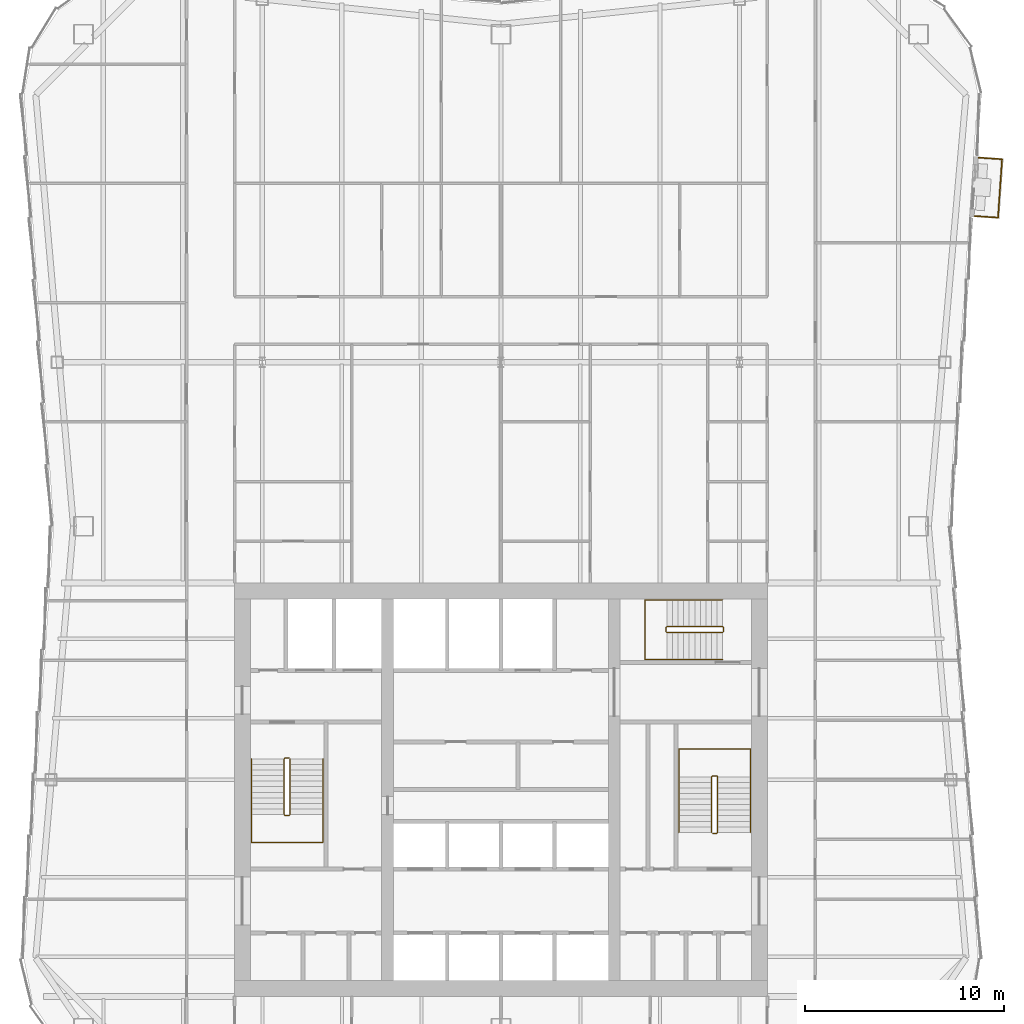
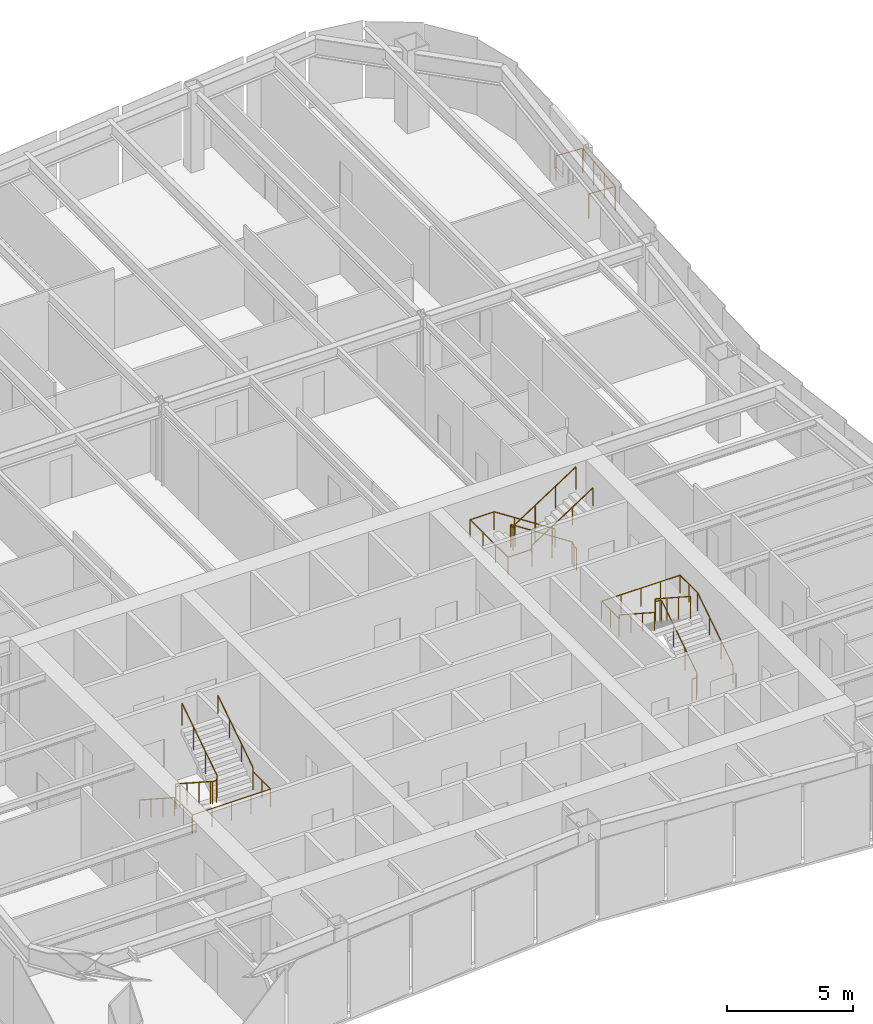
# One storey, part 11 of 12: 7 railings.
"""IFC4 building model written with IfcOpenShell, lengths in metres."""

from ifc_helpers import new_model, si_unit, direction, frame, origin, origin_2d, place, context, subcontext, project, spatial, circle, extrude, material, type_object, element, save


model = new_model("IFC4")

# Units and contexts
model_context = context("Model", 3, precision=1e-05, world=origin(), true_north=direction((0.0, 1.0)))
body_context = subcontext(model_context, "Body", "Model", "MODEL_VIEW")
ifc_project = project(units=[si_unit("LENGTHUNIT", "METRE"), si_unit("AREAUNIT", "SQUARE_METRE"), si_unit("VOLUMEUNIT", "CUBIC_METRE"), si_unit("PLANEANGLEUNIT", "RADIAN"), si_unit("MASSUNIT", "GRAM", prefix="KILO")], contexts=[model_context])

# Site, building, storey
site_placement = place(None, origin())
site = spatial("IfcSite", under=ifc_project, at=site_placement, CompositionType="ELEMENT")
building_placement = place(site_placement, origin())
building = spatial("IfcBuilding", under=site, at=building_placement, Name="Verdant Reach Tower", CompositionType="ELEMENT")
storey_placement = place(building_placement, frame((0.0, 0.0, 266.0)))
storey = spatial("IfcBuildingStorey", under=building, at=storey_placement, Name="L61", CompositionType="ELEMENT", Elevation=266.0)

# Railings
ifc_material_1 = material(Name="Stainless steel", Category="steel")
railing_type_1 = type_object("IfcRailingType", Name="CO-GUARD", PredefinedType="GUARDRAIL", material=ifc_material_1)
railing_1_placement = place(storey_placement, frame((-10.64990234375, 29.60009765625, 0.0)))
element("IfcRailing", 1, at=railing_1_placement, inside=storey, type_object=railing_type_1, Name="L61 ST-1 stair guard 1", PredefinedType="GUARDRAIL", context=body_context, shape_type="SweptSolid", body=[
    extrude(circle(Radius=0.02392578125, at=origin_2d()), frame((0.0, 0.0, 1.076171875), z_axis=(-1.0, 0.0, 0.0), x_axis=(0.0, -1.0, 0.0)), (0.0, 0.0, 1.0), 0.2001953125),
    extrude(circle(Radius=0.02392578125, at=origin_2d()), frame((-0.2001953125, 0.0, 1.076171875), z_axis=(-0.25526617399, -0.256517478764, 0.932222056972), x_axis=(0.708833529934, -0.705375805398, 0.0)), (0.0, 0.0, 1.0), 0.195068359375),
    extrude(circle(Radius=0.02392578125, at=origin_2d()), frame((-0.25, -0.050048828125, 1.2578125), z_axis=(0.0, -0.838705829183, 0.544584733623), x_axis=(1.0, 0.0, 0.0)), (0.0, 0.0, 1.0), 3.338623046875),
    extrude(circle(Radius=0.02392578125, at=origin_2d()), frame((-0.25, -2.85009765625, 3.076171875), z_axis=(0.705375805398, -0.708833529934, 0.0), x_axis=(0.708833529934, 0.705375805398, 0.0)), (0.0, 0.0, 1.0), 0.070556640625),
    extrude(circle(Radius=0.02392578125, at=origin_2d()), frame((-0.2001953125, -2.900146484375, 3.076171875), z_axis=(1.0, 0.0, 0.0), x_axis=(0.0, 1.0, 0.0)), (0.0, 0.0, 1.0), 0.2001953125),
    extrude(circle(Radius=0.02392578125, at=origin_2d()), frame((0.0, -2.900146484375, 3.076171875), z_axis=(0.25526617399, 0.256517478764, 0.932222056972), x_axis=(-0.708833529934, 0.705375805398, 0.0)), (0.0, 0.0, 1.0), 0.195068359375),
    extrude(circle(Radius=0.02392578125, at=origin_2d()), frame((0.0498046875, -2.85009765625, 3.2578125), z_axis=(0.0, 0.838705829183, 0.544584733623), x_axis=(-1.0, 0.0, 0.0)), (0.0, 0.0, 1.0), 3.338623046875),
    extrude(circle(Radius=0.02099609375, at=origin_2d()), origin(), (0.0, 0.0, 1.0), 1.052001953125),
    extrude(circle(Radius=0.02099609375, at=origin_2d()), frame((-0.2001953125, 0.0, 0.0)), (0.0, 0.0, 1.0), 1.052001953125),
    extrude(circle(Radius=0.02099609375, at=origin_2d()), frame((-0.25, -0.050048828125, 0.181884765625)), (0.0, 0.0, 1.0), 1.052001953125),
    extrude(circle(Radius=0.02099609375, at=origin_2d()), frame((-0.25, -0.9833984375, 0.787841796875)), (0.0, 0.0, 1.0), 1.052001953125),
    extrude(circle(Radius=0.02099609375, at=origin_2d()), frame((-0.25, -1.916748046875, 1.39404296875)), (0.0, 0.0, 1.0), 1.052001953125),
    extrude(circle(Radius=0.02099609375, at=origin_2d()), frame((-0.25, -2.85009765625, 2.0)), (0.0, 0.0, 1.0), 1.052001953125),
    extrude(circle(Radius=0.02099609375, at=origin_2d()), frame((-0.2001953125, -2.900146484375, 2.0)), (0.0, 0.0, 1.0), 1.052001953125),
    extrude(circle(Radius=0.02099609375, at=origin_2d()), frame((0.0, -2.900146484375, 2.0)), (0.0, 0.0, 1.0), 1.052001953125),
    extrude(circle(Radius=0.02099609375, at=origin_2d()), frame((0.0498046875, -2.85009765625, 2.181884765625)), (0.0, 0.0, 1.0), 1.052001953125),
    extrude(circle(Radius=0.02099609375, at=origin_2d()), frame((0.0498046875, -1.916748046875, 2.787841796875)), (0.0, 0.0, 1.0), 1.052001953125),
    extrude(circle(Radius=0.02099609375, at=origin_2d()), frame((0.0498046875, -0.9833984375, 3.39404296875)), (0.0, 0.0, 1.0), 1.052001953125),
    extrude(circle(Radius=0.02099609375, at=origin_2d()), frame((0.0498046875, -0.050048828125, 4.0)), (0.0, 0.0, 1.0), 1.052001953125),
])
railing_2_placement = place(storey_placement, frame((10.64990234375, 25.800048828125, 0.0)))
element("IfcRailing", 2, at=railing_2_placement, inside=storey, type_object=railing_type_1, Name="L61 ST-2 stair guard 1", PredefinedType="GUARDRAIL", context=body_context, shape_type="SweptSolid", body=[
    extrude(circle(Radius=0.02392578125, at=origin_2d()), frame((0.0, 0.0, 1.076171875), z_axis=(1.0, 0.0, 0.0), x_axis=(0.0, 1.0, 0.0)), (0.0, 0.0, 1.0), 0.2001953125),
    extrude(circle(Radius=0.02392578125, at=origin_2d()), frame((0.2001953125, 0.0, 1.076171875), z_axis=(0.25526617399, 0.256517478764, 0.932222056972), x_axis=(-0.708833529934, 0.705375805398, 0.0)), (0.0, 0.0, 1.0), 0.195068359375),
    extrude(circle(Radius=0.02392578125, at=origin_2d()), frame((0.25, 0.050048828125, 1.2578125), z_axis=(0.0, 0.83868413941, 0.544618136222), x_axis=(-1.0, 0.0, 0.0)), (0.0, 0.0, 1.0), 3.33837890625),
    extrude(circle(Radius=0.02392578125, at=origin_2d()), frame((0.25, 2.849853515625, 3.076171875), z_axis=(-0.705375805398, 0.708833529934, 0.0), x_axis=(-0.708833529934, -0.705375805398, 0.0)), (0.0, 0.0, 1.0), 0.070556640625),
    extrude(circle(Radius=0.02392578125, at=origin_2d()), frame((0.2001953125, 2.89990234375, 3.076171875), z_axis=(-1.0, 0.0, 0.0), x_axis=(0.0, -1.0, 0.0)), (0.0, 0.0, 1.0), 0.2001953125),
    extrude(circle(Radius=0.02392578125, at=origin_2d()), frame((0.0, 2.89990234375, 3.076171875), z_axis=(-0.25526617399, -0.256517478764, 0.932222056972), x_axis=(0.708833529934, -0.705375805398, 0.0)), (0.0, 0.0, 1.0), 0.195068359375),
    extrude(circle(Radius=0.02392578125, at=origin_2d()), frame((-0.0498046875, 2.849853515625, 3.2578125), z_axis=(0.0, -0.83868413941, 0.544618136222), x_axis=(1.0, 0.0, 0.0)), (0.0, 0.0, 1.0), 3.33837890625),
    extrude(circle(Radius=0.02099609375, at=origin_2d()), origin(), (0.0, 0.0, 1.0), 1.052001953125),
    extrude(circle(Radius=0.02099609375, at=origin_2d()), frame((0.2001953125, 0.0, 0.0)), (0.0, 0.0, 1.0), 1.052001953125),
    extrude(circle(Radius=0.02099609375, at=origin_2d()), frame((0.25, 0.050048828125, 0.181884765625)), (0.0, 0.0, 1.0), 1.052001953125),
    extrude(circle(Radius=0.02099609375, at=origin_2d()), frame((0.25, 0.9833984375, 0.787841796875)), (0.0, 0.0, 1.0), 1.052001953125),
    extrude(circle(Radius=0.02099609375, at=origin_2d()), frame((0.25, 1.91650390625, 1.39404296875)), (0.0, 0.0, 1.0), 1.052001953125),
    extrude(circle(Radius=0.02099609375, at=origin_2d()), frame((0.25, 2.849853515625, 2.0)), (0.0, 0.0, 1.0), 1.052001953125),
    extrude(circle(Radius=0.02099609375, at=origin_2d()), frame((0.2001953125, 2.89990234375, 2.0)), (0.0, 0.0, 1.0), 1.052001953125),
    extrude(circle(Radius=0.02099609375, at=origin_2d()), frame((0.0, 2.89990234375, 2.0)), (0.0, 0.0, 1.0), 1.052001953125),
    extrude(circle(Radius=0.02099609375, at=origin_2d()), frame((-0.0498046875, 2.849853515625, 2.181884765625)), (0.0, 0.0, 1.0), 1.052001953125),
    extrude(circle(Radius=0.02099609375, at=origin_2d()), frame((-0.0498046875, 1.91650390625, 2.787841796875)), (0.0, 0.0, 1.0), 1.052001953125),
    extrude(circle(Radius=0.02099609375, at=origin_2d()), frame((-0.0498046875, 0.9833984375, 3.39404296875)), (0.0, 0.0, 1.0), 1.052001953125),
    extrude(circle(Radius=0.02099609375, at=origin_2d()), frame((-0.0498046875, 0.050048828125, 4.0)), (0.0, 0.0, 1.0), 1.052001953125),
])
railing_3_placement = place(storey_placement, frame((11.199951171875, 35.949951171875, 0.0)))
element("IfcRailing", 3, at=railing_3_placement, inside=storey, type_object=railing_type_1, Name="L61 ST-3 stair guard 1", PredefinedType="GUARDRAIL", context=body_context, shape_type="SweptSolid", body=[
    extrude(circle(Radius=0.02392578125, at=origin_2d()), frame((0.0, 0.0, 1.076171875), z_axis=(0.0, 1.0, 0.0), x_axis=(-1.0, 0.0, 0.0)), (0.0, 0.0, 1.0), 0.199951171875),
    extrude(circle(Radius=0.02392578125, at=origin_2d()), frame((0.0, 0.199951171875, 1.076171875), z_axis=(-0.256435381639, 0.256435381639, 0.931923704005), x_axis=(-0.707106781187, -0.707106781187, 0.0)), (0.0, 0.0, 1.0), 0.195068359375),
    extrude(circle(Radius=0.02392578125, at=origin_2d()), frame((-0.050048828125, 0.25, 1.2578125), z_axis=(-0.83868413941, 0.0, 0.544618136222), x_axis=(0.0, -1.0, 0.0)), (0.0, 0.0, 1.0), 3.33837890625),
    extrude(circle(Radius=0.02392578125, at=origin_2d()), frame((-2.849853515625, 0.25, 3.076171875), z_axis=(-0.707106781187, -0.707106781187, 0.0), x_axis=(0.707106781187, -0.707106781187, 0.0)), (0.0, 0.0, 1.0), 0.07080078125),
    extrude(circle(Radius=0.02392578125, at=origin_2d()), frame((-2.89990234375, 0.199951171875, 3.076171875), z_axis=(0.0, -1.0, 0.0), x_axis=(1.0, 0.0, 0.0)), (0.0, 0.0, 1.0), 0.199951171875),
    extrude(circle(Radius=0.02392578125, at=origin_2d()), frame((-2.89990234375, 0.0, 3.076171875), z_axis=(0.256435381639, -0.256435381639, 0.931923704005), x_axis=(0.707106781187, 0.707106781187, 0.0)), (0.0, 0.0, 1.0), 0.195068359375),
    extrude(circle(Radius=0.02392578125, at=origin_2d()), frame((-2.849853515625, -0.050048828125, 3.2578125), z_axis=(0.83868413941, 0.0, 0.544618136222), x_axis=(0.0, 1.0, 0.0)), (0.0, 0.0, 1.0), 3.33837890625),
    extrude(circle(Radius=0.02099609375, at=origin_2d()), origin(), (0.0, 0.0, 1.0), 1.052001953125),
    extrude(circle(Radius=0.02099609375, at=origin_2d()), frame((0.0, 0.199951171875, 0.0)), (0.0, 0.0, 1.0), 1.052001953125),
    extrude(circle(Radius=0.02099609375, at=origin_2d()), frame((-0.050048828125, 0.25, 0.181884765625)), (0.0, 0.0, 1.0), 1.052001953125),
    extrude(circle(Radius=0.02099609375, at=origin_2d()), frame((-0.9833984375, 0.25, 0.787841796875)), (0.0, 0.0, 1.0), 1.052001953125),
    extrude(circle(Radius=0.02099609375, at=origin_2d()), frame((-1.91650390625, 0.25, 1.39404296875)), (0.0, 0.0, 1.0), 1.052001953125),
    extrude(circle(Radius=0.02099609375, at=origin_2d()), frame((-2.849853515625, 0.25, 2.0)), (0.0, 0.0, 1.0), 1.052001953125),
    extrude(circle(Radius=0.02099609375, at=origin_2d()), frame((-2.89990234375, 0.199951171875, 2.0)), (0.0, 0.0, 1.0), 1.052001953125),
    extrude(circle(Radius=0.02099609375, at=origin_2d()), frame((-2.89990234375, 0.0, 2.0)), (0.0, 0.0, 1.0), 1.052001953125),
    extrude(circle(Radius=0.02099609375, at=origin_2d()), frame((-2.849853515625, -0.050048828125, 2.181884765625)), (0.0, 0.0, 1.0), 1.052001953125),
    extrude(circle(Radius=0.02099609375, at=origin_2d()), frame((-1.91650390625, -0.050048828125, 2.787841796875)), (0.0, 0.0, 1.0), 1.052001953125),
    extrude(circle(Radius=0.02099609375, at=origin_2d()), frame((-0.9833984375, -0.050048828125, 3.39404296875)), (0.0, 0.0, 1.0), 1.052001953125),
    extrude(circle(Radius=0.02099609375, at=origin_2d()), frame((-0.050048828125, -0.050048828125, 4.0)), (0.0, 0.0, 1.0), 1.052001953125),
])
railing_type_2 = type_object("IfcRailingType", Name="CO-HANDRAIL", PredefinedType="HANDRAIL", material=ifc_material_1)
railing_4_placement = place(storey_placement, frame((-12.550048828125, 29.550048828125, 0.181884765625)))
element("IfcRailing", 4, at=railing_4_placement, inside=storey, type_object=railing_type_2, Name="L61 ST-1 stair handrail 1", PredefinedType="HANDRAIL", context=body_context, shape_type="SweptSolid", body=[
    extrude(circle(Radius=0.02392578125, at=origin_2d()), frame((0.0, 0.0, 0.8759765625), z_axis=(0.0, -0.838705829183, 0.544584733623), x_axis=(1.0, 0.0, 0.0)), (0.0, 0.0, 1.0), 3.338623046875),
    extrude(circle(Radius=0.02392578125, at=origin_2d()), frame((0.0, -2.800048828125, 2.69384765625), z_axis=(0.0, -1.0, 0.0), x_axis=(1.0, 0.0, 0.0)), (0.0, 0.0, 1.0), 1.39990234375),
    extrude(circle(Radius=0.02392578125, at=origin_2d()), frame((0.0, -4.199951171875, 2.69384765625), z_axis=(1.0, 0.0, 0.0), x_axis=(0.0, 1.0, 0.0)), (0.0, 0.0, 1.0), 3.60009765625),
    extrude(circle(Radius=0.02392578125, at=origin_2d()), frame((3.60009765625, -4.199951171875, 2.69384765625), z_axis=(0.0, 1.0, 0.0), x_axis=(-1.0, 0.0, 0.0)), (0.0, 0.0, 1.0), 1.39990234375),
    extrude(circle(Radius=0.02392578125, at=origin_2d()), frame((3.60009765625, -2.800048828125, 2.69384765625), z_axis=(0.0, 0.0, 1.0), x_axis=(1.0, 0.0, 0.0)), (0.0, 0.0, 1.0), 0.181884765625),
    extrude(circle(Radius=0.02392578125, at=origin_2d()), frame((3.60009765625, -2.800048828125, 2.8759765625), z_axis=(0.0, 0.838705829183, 0.544584733623), x_axis=(-1.0, 0.0, 0.0)), (0.0, 0.0, 1.0), 3.338623046875),
    extrude(circle(Radius=0.02099609375, at=origin_2d()), origin(), (0.0, 0.0, 1.0), 0.851806640625),
    extrude(circle(Radius=0.02099609375, at=origin_2d()), frame((0.0, -0.933349609375, 0.60595703125)), (0.0, 0.0, 1.0), 0.851806640625),
    extrude(circle(Radius=0.02099609375, at=origin_2d()), frame((0.0, -1.86669921875, 1.212158203125)), (0.0, 0.0, 1.0), 0.851806640625),
    extrude(circle(Radius=0.02099609375, at=origin_2d()), frame((0.0, -2.800048828125, 1.818115234375)), (0.0, 0.0, 1.0), 0.851806640625),
    extrude(circle(Radius=0.02099609375, at=origin_2d()), frame((0.0, -3.5, 1.818115234375)), (0.0, 0.0, 1.0), 0.851806640625),
    extrude(circle(Radius=0.02099609375, at=origin_2d()), frame((0.0, -4.199951171875, 1.818115234375)), (0.0, 0.0, 1.0), 0.851806640625),
    extrude(circle(Radius=0.02099609375, at=origin_2d()), frame((0.89990234375, -4.199951171875, 1.818115234375)), (0.0, 0.0, 1.0), 0.851806640625),
    extrude(circle(Radius=0.02099609375, at=origin_2d()), frame((1.800048828125, -4.199951171875, 1.818115234375)), (0.0, 0.0, 1.0), 0.851806640625),
    extrude(circle(Radius=0.02099609375, at=origin_2d()), frame((2.7001953125, -4.199951171875, 1.818115234375)), (0.0, 0.0, 1.0), 0.851806640625),
    extrude(circle(Radius=0.02099609375, at=origin_2d()), frame((3.60009765625, -4.199951171875, 1.818115234375)), (0.0, 0.0, 1.0), 0.851806640625),
    extrude(circle(Radius=0.02099609375, at=origin_2d()), frame((3.60009765625, -3.5, 1.818115234375)), (0.0, 0.0, 1.0), 0.851806640625),
    extrude(circle(Radius=0.02099609375, at=origin_2d()), frame((3.60009765625, -2.800048828125, 1.818115234375)), (0.0, 0.0, 1.0), 0.851806640625),
    extrude(circle(Radius=0.02099609375, at=origin_2d()), frame((3.60009765625, -2.800048828125, 2.0)), (0.0, 0.0, 1.0), 0.851806640625),
    extrude(circle(Radius=0.02099609375, at=origin_2d()), frame((3.60009765625, -1.86669921875, 2.60595703125)), (0.0, 0.0, 1.0), 0.851806640625),
    extrude(circle(Radius=0.02099609375, at=origin_2d()), frame((3.60009765625, -0.933349609375, 3.212158203125)), (0.0, 0.0, 1.0), 0.851806640625),
    extrude(circle(Radius=0.02099609375, at=origin_2d()), frame((3.60009765625, 0.0, 3.818115234375)), (0.0, 0.0, 1.0), 0.851806640625),
])
railing_5_placement = place(storey_placement, frame((12.550048828125, 25.85009765625, 0.181884765625)))
element("IfcRailing", 5, at=railing_5_placement, inside=storey, type_object=railing_type_2, Name="L61 ST-2 stair handrail 1", PredefinedType="HANDRAIL", context=body_context, shape_type="SweptSolid", body=[
    extrude(circle(Radius=0.02392578125, at=origin_2d()), frame((0.0, 0.0, 0.8759765625), z_axis=(0.0, 0.83868413941, 0.544618136222), x_axis=(-1.0, 0.0, 0.0)), (0.0, 0.0, 1.0), 3.33837890625),
    extrude(circle(Radius=0.02392578125, at=origin_2d()), frame((0.0, 2.7998046875, 2.69384765625), z_axis=(0.0, 1.0, 0.0), x_axis=(-1.0, 0.0, 0.0)), (0.0, 0.0, 1.0), 1.400146484375),
    extrude(circle(Radius=0.02392578125, at=origin_2d()), frame((0.0, 4.199951171875, 2.69384765625), z_axis=(-1.0, 0.0, 0.0), x_axis=(0.0, -1.0, 0.0)), (0.0, 0.0, 1.0), 3.60009765625),
    extrude(circle(Radius=0.02392578125, at=origin_2d()), frame((-3.60009765625, 4.199951171875, 2.69384765625), z_axis=(0.0, -1.0, 0.0), x_axis=(1.0, 0.0, 0.0)), (0.0, 0.0, 1.0), 1.400146484375),
    extrude(circle(Radius=0.02392578125, at=origin_2d()), frame((-3.60009765625, 2.7998046875, 2.69384765625), z_axis=(0.0, 0.0, 1.0), x_axis=(1.0, 0.0, 0.0)), (0.0, 0.0, 1.0), 0.181884765625),
    extrude(circle(Radius=0.02392578125, at=origin_2d()), frame((-3.60009765625, 2.7998046875, 2.8759765625), z_axis=(0.0, -0.83868413941, 0.544618136222), x_axis=(1.0, 0.0, 0.0)), (0.0, 0.0, 1.0), 3.33837890625),
    extrude(circle(Radius=0.02099609375, at=origin_2d()), origin(), (0.0, 0.0, 1.0), 0.851806640625),
    extrude(circle(Radius=0.02099609375, at=origin_2d()), frame((0.0, 0.933349609375, 0.60595703125)), (0.0, 0.0, 1.0), 0.851806640625),
    extrude(circle(Radius=0.02099609375, at=origin_2d()), frame((0.0, 1.866455078125, 1.212158203125)), (0.0, 0.0, 1.0), 0.851806640625),
    extrude(circle(Radius=0.02099609375, at=origin_2d()), frame((0.0, 2.7998046875, 1.818115234375)), (0.0, 0.0, 1.0), 0.851806640625),
    extrude(circle(Radius=0.02099609375, at=origin_2d()), frame((0.0, 3.5, 1.818115234375)), (0.0, 0.0, 1.0), 0.851806640625),
    extrude(circle(Radius=0.02099609375, at=origin_2d()), frame((0.0, 4.199951171875, 1.818115234375)), (0.0, 0.0, 1.0), 0.851806640625),
    extrude(circle(Radius=0.02099609375, at=origin_2d()), frame((-0.89990234375, 4.199951171875, 1.818115234375)), (0.0, 0.0, 1.0), 0.851806640625),
    extrude(circle(Radius=0.02099609375, at=origin_2d()), frame((-1.800048828125, 4.199951171875, 1.818115234375)), (0.0, 0.0, 1.0), 0.851806640625),
    extrude(circle(Radius=0.02099609375, at=origin_2d()), frame((-2.7001953125, 4.199951171875, 1.818115234375)), (0.0, 0.0, 1.0), 0.851806640625),
    extrude(circle(Radius=0.02099609375, at=origin_2d()), frame((-3.60009765625, 4.199951171875, 1.818115234375)), (0.0, 0.0, 1.0), 0.851806640625),
    extrude(circle(Radius=0.02099609375, at=origin_2d()), frame((-3.60009765625, 3.5, 1.818115234375)), (0.0, 0.0, 1.0), 0.851806640625),
    extrude(circle(Radius=0.02099609375, at=origin_2d()), frame((-3.60009765625, 2.7998046875, 1.818115234375)), (0.0, 0.0, 1.0), 0.851806640625),
    extrude(circle(Radius=0.02099609375, at=origin_2d()), frame((-3.60009765625, 2.7998046875, 2.0)), (0.0, 0.0, 1.0), 0.851806640625),
    extrude(circle(Radius=0.02099609375, at=origin_2d()), frame((-3.60009765625, 1.866455078125, 2.60595703125)), (0.0, 0.0, 1.0), 0.851806640625),
    extrude(circle(Radius=0.02099609375, at=origin_2d()), frame((-3.60009765625, 0.933349609375, 3.212158203125)), (0.0, 0.0, 1.0), 0.851806640625),
    extrude(circle(Radius=0.02099609375, at=origin_2d()), frame((-3.60009765625, 0.0, 3.818115234375)), (0.0, 0.0, 1.0), 0.851806640625),
])
railing_6_placement = place(storey_placement, frame((11.14990234375, 37.550048828125, 0.181884765625)))
element("IfcRailing", 6, at=railing_6_placement, inside=storey, type_object=railing_type_2, Name="L61 ST-3 stair handrail 1", PredefinedType="HANDRAIL", context=body_context, shape_type="SweptSolid", body=[
    extrude(circle(Radius=0.02392578125, at=origin_2d()), frame((0.0, 0.0, 0.8759765625), z_axis=(-0.83868413941, 0.0, 0.544618136222), x_axis=(0.0, -1.0, 0.0)), (0.0, 0.0, 1.0), 3.33837890625),
    extrude(circle(Radius=0.02392578125, at=origin_2d()), frame((-2.7998046875, 0.0, 2.69384765625), z_axis=(-1.0, 0.0, 0.0), x_axis=(0.0, -1.0, 0.0)), (0.0, 0.0, 1.0), 1.10009765625),
    extrude(circle(Radius=0.02392578125, at=origin_2d()), frame((-3.89990234375, 0.0, 2.69384765625), z_axis=(0.0, -1.0, 0.0), x_axis=(1.0, 0.0, 0.0)), (0.0, 0.0, 1.0), 3.0),
    extrude(circle(Radius=0.02392578125, at=origin_2d()), frame((-3.89990234375, -3.0, 2.69384765625), z_axis=(1.0, 0.0, 0.0), x_axis=(0.0, 1.0, 0.0)), (0.0, 0.0, 1.0), 1.10009765625),
    extrude(circle(Radius=0.02392578125, at=origin_2d()), frame((-2.7998046875, -3.0, 2.69384765625), z_axis=(0.0, 0.0, 1.0), x_axis=(1.0, 0.0, 0.0)), (0.0, 0.0, 1.0), 0.181884765625),
    extrude(circle(Radius=0.02392578125, at=origin_2d()), frame((-2.7998046875, -3.0, 2.8759765625), z_axis=(0.83868413941, 0.0, 0.544618136222), x_axis=(0.0, 1.0, 0.0)), (0.0, 0.0, 1.0), 3.33837890625),
    extrude(circle(Radius=0.02099609375, at=origin_2d()), origin(), (0.0, 0.0, 1.0), 0.851806640625),
    extrude(circle(Radius=0.02099609375, at=origin_2d()), frame((-0.933349609375, 0.0, 0.60595703125)), (0.0, 0.0, 1.0), 0.851806640625),
    extrude(circle(Radius=0.02099609375, at=origin_2d()), frame((-1.866455078125, 0.0, 1.212158203125)), (0.0, 0.0, 1.0), 0.851806640625),
    extrude(circle(Radius=0.02099609375, at=origin_2d()), frame((-2.7998046875, 0.0, 1.818115234375)), (0.0, 0.0, 1.0), 0.851806640625),
    extrude(circle(Radius=0.02099609375, at=origin_2d()), frame((-3.89990234375, 0.0, 1.818115234375)), (0.0, 0.0, 1.0), 0.851806640625),
    extrude(circle(Radius=0.02099609375, at=origin_2d()), frame((-3.89990234375, -1.0, 1.818115234375)), (0.0, 0.0, 1.0), 0.851806640625),
    extrude(circle(Radius=0.02099609375, at=origin_2d()), frame((-3.89990234375, -2.0, 1.818115234375)), (0.0, 0.0, 1.0), 0.851806640625),
    extrude(circle(Radius=0.02099609375, at=origin_2d()), frame((-3.89990234375, -3.0, 1.818115234375)), (0.0, 0.0, 1.0), 0.851806640625),
    extrude(circle(Radius=0.02099609375, at=origin_2d()), frame((-2.7998046875, -3.0, 1.818115234375)), (0.0, 0.0, 1.0), 0.851806640625),
    extrude(circle(Radius=0.02099609375, at=origin_2d()), frame((-2.7998046875, -3.0, 2.0)), (0.0, 0.0, 1.0), 0.851806640625),
    extrude(circle(Radius=0.02099609375, at=origin_2d()), frame((-1.866455078125, -3.0, 2.60595703125)), (0.0, 0.0, 1.0), 0.851806640625),
    extrude(circle(Radius=0.02099609375, at=origin_2d()), frame((-0.933349609375, -3.0, 3.212158203125)), (0.0, 0.0, 1.0), 0.851806640625),
    extrude(circle(Radius=0.02099609375, at=origin_2d()), frame((0.0, -3.0, 3.818115234375)), (0.0, 0.0, 1.0), 0.851806640625),
])
ifc_material_2 = material(Name="Stainless steel and laminated glass balustrade", Category="steel")
railing_type_3 = type_object("IfcRailingType", Name="EN-RAILING BALCONY", PredefinedType="GUARDRAIL", material=ifc_material_2)
railing_7_placement = place(storey_placement, frame((23.83056640625, 56.85205078125, 0.0)))
element("IfcRailing", 7, at=railing_7_placement, inside=storey, type_object=railing_type_3, Name="Balcony guard 1, L61", PredefinedType="GUARDRAIL", context=body_context, shape_type="SweptSolid", body=[
    extrude(circle(Radius=0.02490234375, at=origin_2d()), frame((0.0, 0.0, 1.1748046875), z_axis=(0.997636711247, -0.068709478032, 0.0), x_axis=(0.068709478032, 0.997636711247, 0.0)), (0.0, 0.0, 1.0), 1.176025390625),
    extrude(circle(Radius=0.02490234375, at=origin_2d()), frame((1.17333984375, -0.080810546875, 1.1748046875), z_axis=(0.068773654488, 0.997632289197, 0.0), x_axis=(-0.997632289197, 0.068773654488, 0.0)), (0.0, 0.0, 1.0), 2.946533203125),
    extrude(circle(Radius=0.02490234375, at=origin_2d()), frame((1.3759765625, 2.858642578125, 1.1748046875), z_axis=(-0.997635730952, 0.068723710082, 0.0), x_axis=(-0.068723710082, -0.997635730952, 0.0)), (0.0, 0.0, 1.0), 1.17578125),
    extrude(circle(Radius=0.02490234375, at=origin_2d()), origin(), (0.0, 0.0, 1.0), 1.14990234375),
    extrude(circle(Radius=0.02490234375, at=origin_2d()), frame((1.17333984375, -0.080810546875, 0.0)), (0.0, 0.0, 1.0), 1.14990234375),
    extrude(circle(Radius=0.02490234375, at=origin_2d()), frame((1.240966796875, 0.89892578125, 0.0)), (0.0, 0.0, 1.0), 1.14990234375),
    extrude(circle(Radius=0.02490234375, at=origin_2d()), frame((1.308349609375, 1.87890625, 0.0)), (0.0, 0.0, 1.0), 1.14990234375),
    extrude(circle(Radius=0.02490234375, at=origin_2d()), frame((1.3759765625, 2.858642578125, 0.0)), (0.0, 0.0, 1.0), 1.14990234375),
    extrude(circle(Radius=0.02490234375, at=origin_2d()), frame((0.202880859375, 2.939453125, 0.0)), (0.0, 0.0, 1.0), 1.14990234375),
])

save(model, "model.ifc")
